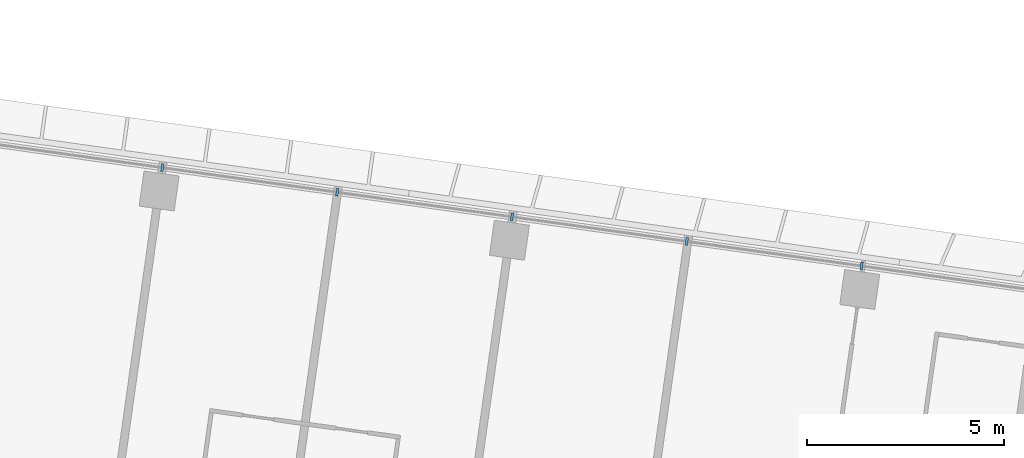
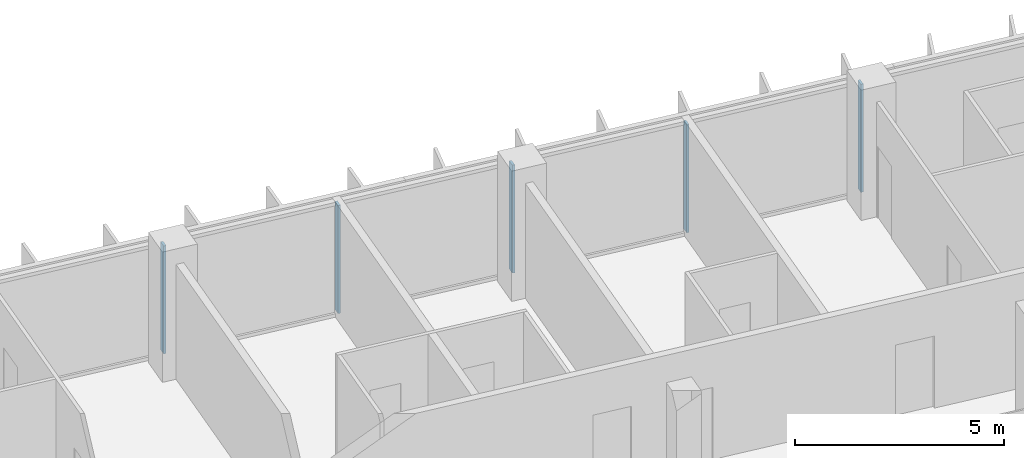
# One storey, part 5 of 26: 5 members, 1 element without a shape of its own.
"""IFC4 building model written with IfcOpenShell, lengths in metres."""

from ifc_helpers import new_model, si_unit, direction, frame, origin, origin_2d, place, context, subcontext, project, spatial, rectangle, extrude, material, material_profile, profile_set, type_object, element, aggregate, save


model = new_model("IFC4")

# Units and contexts
model_context = context("Model", 3, precision=1e-05, world=origin(), true_north=direction((0.0, 1.0)))
body_context = subcontext(model_context, "Body", "Model", "MODEL_VIEW")
ifc_project = project(units=[si_unit("LENGTHUNIT", "METRE"), si_unit("AREAUNIT", "SQUARE_METRE"), si_unit("VOLUMEUNIT", "CUBIC_METRE"), si_unit("PLANEANGLEUNIT", "RADIAN"), si_unit("MASSUNIT", "GRAM", prefix="KILO")], contexts=[model_context])

# Site, building, storey
site_placement = place(None, origin())
site = spatial("IfcSite", under=ifc_project, at=site_placement, CompositionType="ELEMENT")
building_placement = place(site_placement, origin())
building = spatial("IfcBuilding", under=site, at=building_placement, Name="Mirante Cascada Hotel Towers", CompositionType="ELEMENT")
storey_placement = place(building_placement, frame((0.0, 0.0, 106.3)))
storey = spatial("IfcBuildingStorey", under=building, at=storey_placement, Name="L23", CompositionType="ELEMENT", Elevation=106.3)

# Curtain wall, members
ifc_material_1 = material(Name="Aluminium mullion and transom frame with clear laminated glass", Category="aluminium")
curtain_wall_type = type_object("IfcCurtainWallType", Name="Ribbon curtain wall ECW1", PredefinedType="NOTDEFINED", material=ifc_material_1)
curtain_wall_placement = place(storey_placement, origin())
curtain_wall = element("IfcCurtainWall", 1, at=curtain_wall_placement, inside=storey, type_object=curtain_wall_type, Name="Front ribbon wall T1 L23", PredefinedType="NOTDEFINED")
ifc_material_2 = material(Name="Anodised aluminium extrusion", Category="aluminium")
ifc_material_profile = material_profile(ifc_material_2, rectangle(XDim=0.2, YDim=0.065, at=origin_2d()), Name="ECW1 MULLION 65x200")
ifc_profile_set = profile_set([ifc_material_profile], Name="Anodised aluminium extrusion")
member_type = type_object("IfcMemberType", Name="ECW1 mullion 65x200", PredefinedType="MULLION", material=ifc_profile_set)
member_1_placement = place(storey_placement, frame((-63.0262, 21.6768, 0.1), z_axis=(0.0, 0.0, 1.0), x_axis=(0.1391731, 0.9902681, 0.0)))
member_1 = element("IfcMember", 2, at=member_1_placement, type_object=member_type, Name="ECW1 mullion 8", PredefinedType="MULLION", context=body_context, shape_type="SweptSolid", body=[
    extrude(rectangle(XDim=0.2, YDim=0.065, at=origin_2d()), origin(), (0.0, 0.0, 1.0), 3.15),
])
member_2_placement = place(storey_placement, frame((-58.5788, 21.0517, 0.1), z_axis=(0.0, 0.0, 1.0), x_axis=(0.1391731, 0.9902681, 0.0)))
member_2 = element("IfcMember", 3, at=member_2_placement, type_object=member_type, Name="ECW1 mullion 9", PredefinedType="MULLION", context=body_context, shape_type="SweptSolid", body=[
    extrude(rectangle(XDim=0.2, YDim=0.065, at=origin_2d()), origin(), (0.0, 0.0, 1.0), 3.15),
])
member_3_placement = place(storey_placement, frame((-54.1314, 20.4267, 0.1), z_axis=(0.0, 0.0, 1.0), x_axis=(0.1391731, 0.9902681, 0.0)))
member_3 = element("IfcMember", 4, at=member_3_placement, type_object=member_type, Name="ECW1 mullion 10", PredefinedType="MULLION", context=body_context, shape_type="SweptSolid", body=[
    extrude(rectangle(XDim=0.2, YDim=0.065, at=origin_2d()), origin(), (0.0, 0.0, 1.0), 3.15),
])
member_4_placement = place(storey_placement, frame((-49.684, 19.8017, 0.1), z_axis=(0.0, 0.0, 1.0), x_axis=(0.1391731, 0.9902681, 0.0)))
member_4 = element("IfcMember", 5, at=member_4_placement, type_object=member_type, Name="ECW1 mullion 11", PredefinedType="MULLION", context=body_context, shape_type="SweptSolid", body=[
    extrude(rectangle(XDim=0.2, YDim=0.065, at=origin_2d()), origin(), (0.0, 0.0, 1.0), 3.15),
])
member_5_placement = place(storey_placement, frame((-45.2366, 19.1766, 0.1), z_axis=(0.0, 0.0, 1.0), x_axis=(0.1391731, 0.9902681, 0.0)))
member_5 = element("IfcMember", 6, at=member_5_placement, type_object=member_type, Name="ECW1 mullion 12", PredefinedType="MULLION", context=body_context, shape_type="SweptSolid", body=[
    extrude(rectangle(XDim=0.2, YDim=0.065, at=origin_2d()), origin(), (0.0, 0.0, 1.0), 3.15),
])
aggregate(curtain_wall, [member_1, member_2, member_3, member_4, member_5])

save(model, "model.ifc")
